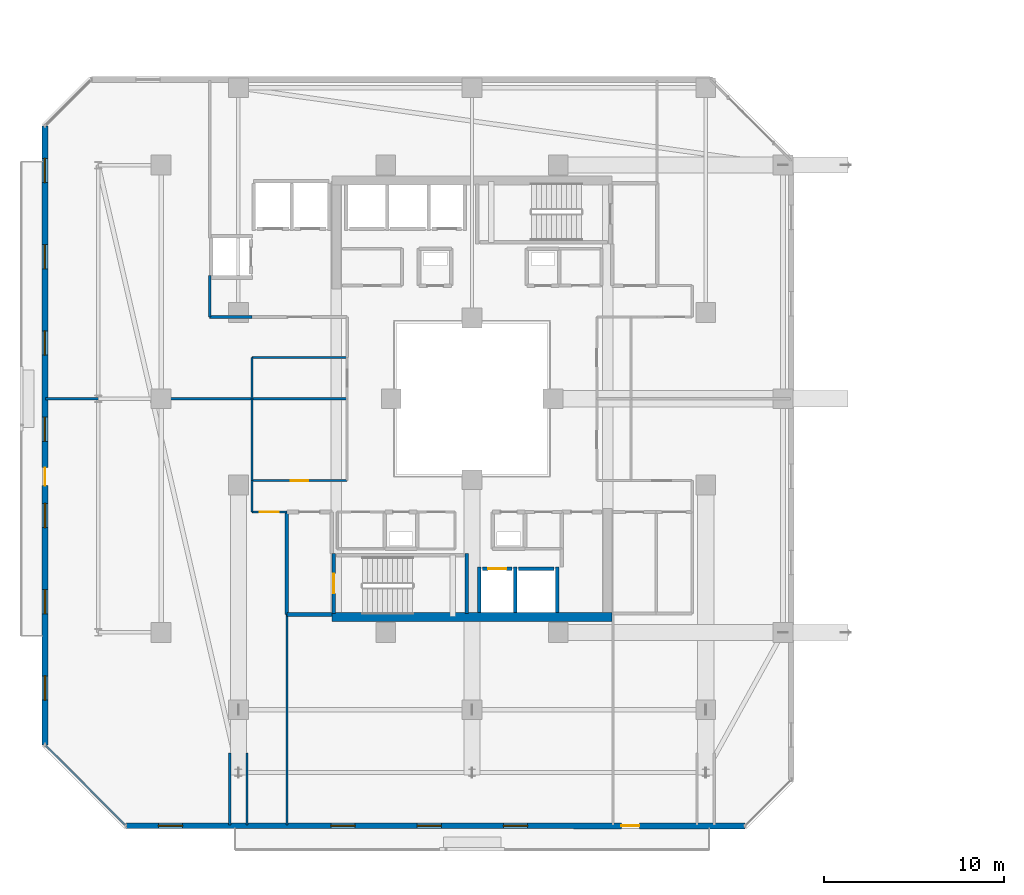
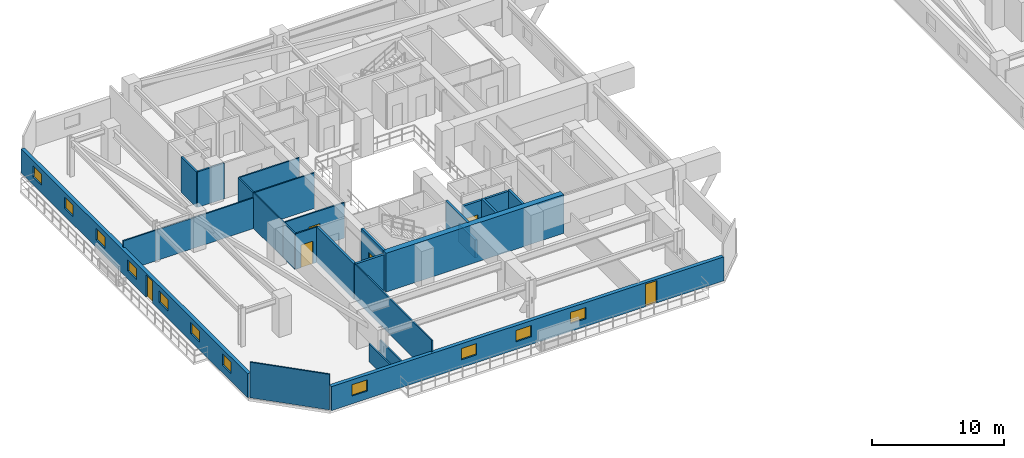
# One storey, part 20 of 35: 26 walls, 11 windows, 6 doors, 17 openings.
"""IFC4 building model written with IfcOpenShell, lengths in metres."""

from ifc_helpers import new_model, si_unit, direction, frame, frame_2d, origin, place, context, subcontext, project, spatial, rectangle, extrude, material, layer, layer_set, type_object, element, fill, save


model = new_model("IFC4")

# Units and contexts
model_context = context("Model", 3, precision=1e-05, world=origin(), true_north=direction((0.0, 1.0)))
body_context = subcontext(model_context, "Body", "Model", "MODEL_VIEW")
ifc_project = project(units=[si_unit("LENGTHUNIT", "METRE"), si_unit("AREAUNIT", "SQUARE_METRE"), si_unit("VOLUMEUNIT", "CUBIC_METRE"), si_unit("PLANEANGLEUNIT", "RADIAN"), si_unit("MASSUNIT", "GRAM", prefix="KILO")], contexts=[model_context])

# Site, building, storey
site_placement = place(None, origin())
site = spatial("IfcSite", under=ifc_project, at=site_placement, CompositionType="ELEMENT")
building_placement = place(site_placement, origin())
building = spatial("IfcBuilding", under=site, at=building_placement, Name="Thornwick Lancets Civic Towers", CompositionType="ELEMENT")
storey_placement = place(building_placement, frame((0.0, 0.0, 145.5)))
storey = spatial("IfcBuildingStorey", under=building, at=storey_placement, Name="L38", CompositionType="ELEMENT", Elevation=145.5)

# Wall, opening, door
ifc_material_1 = material(Name="Concrete blockwork C40/50", Category="masonry")
ifc_layer_1 = layer(ifc_material_1, 0.199951171875, Name="Concrete blockwork C40/50")
ifc_layer_set_1 = layer_set([ifc_layer_1], Name="Concrete blockwork C40/50")
wall_type_1 = type_object("IfcWallType", Name="WALL_COMP_200", PredefinedType="STANDARD", material=ifc_layer_set_1)
wall_1_placement = place(storey_placement, frame((26.080078125, 17.550048828125, 0.0), z_axis=(0.0, 0.0, 1.0), x_axis=(1.0, 0.0, 0.0)))
wall_1 = element("IfcWall", 1, at=wall_1_placement, inside=storey, type_object=wall_type_1, Name="L38 Hoistway Front Wall FL-A1", PredefinedType="STANDARD", context=body_context, shape_type="SweptSolid", body=[
    extrude(rectangle(XDim=1.639892578125, YDim=0.199951171875, at=frame_2d((0.81982421875, 0.0))), origin(), (0.0, 0.0, 1.0), 3.300048828125),
])
opening_1_placement = place(wall_1_placement, frame((0.31005859375, 0.0, 0.0)))
opening_1 = element("IfcOpeningElement", 2, at=opening_1_placement, cuts=wall_1, Name="Opening LD-FL-A1", PredefinedType="OPENING", context=body_context, shape_type="SweptSolid", body=[
    extrude(rectangle(XDim=1.02001953125, YDim=2.06005859375, at=frame_2d((0.510009765625, 1.030029296875))), frame((0.0, 0.10986328125, 0.0), z_axis=(0.0, -1.0, 0.0), x_axis=(1.0, 0.0, 0.0)), (0.0, 0.0, 1.0), 0.219970703125),
])
ifc_material_2 = material(Name="Brushed bronze stainless steel", Category="steel")
door_type_1 = type_object("IfcDoorType", Name="DOOR_LIFT_SLIDE", OperationType="SLIDING_TO_LEFT", PredefinedType="DOOR", material=ifc_material_2)
door_1_placement = place(opening_1_placement, origin())
door_1 = element("IfcDoor", 3, at=door_1_placement, inside=storey, type_object=door_type_1, Name="L38 Sliding Lift Landing Door LD-FL-A1", OperationType="SLIDING_TO_LEFT", OverallHeight=2.06005859375, OverallWidth=1.02001953125, PredefinedType="DOOR", context=body_context, shape_type="SweptSolid", body=[
    extrude(rectangle(XDim=1.02001953125, YDim=2.06005859375, at=frame_2d((0.510009765625, 1.030029296875))), frame((0.0, 0.02490234375, 0.0), z_axis=(0.0, -1.0, 0.0), x_axis=(1.0, 0.0, 0.0)), (0.0, 0.0, 1.0), 0.050048828125),
])
fill(opening_1, door_1)

# Walls
wall_2_placement = place(storey_placement, frame((28.080078125, 17.550048828125, 0.0), z_axis=(0.0, 0.0, 1.0), x_axis=(1.0, 0.0, 0.0)))
element("IfcWall", 4, at=wall_2_placement, inside=storey, type_object=wall_type_1, Name="L38 Hoistway Front Wall PL-AH1", PredefinedType="STANDARD", context=body_context, shape_type="SweptSolid", body=[
    extrude(rectangle(XDim=1.989990234375, YDim=0.199951171875, at=frame_2d((0.9951171875, 0.0))), origin(), (0.0, 0.0, 1.0), 3.300048828125),
])
wall_3_placement = place(storey_placement, frame((27.89990234375, 15.112060546875, 0.0), z_axis=(0.0, 0.0, 1.0), x_axis=(0.0, 1.0, 0.0)))
element("IfcWall", 5, at=wall_3_placement, inside=storey, type_object=wall_type_1, Name="L38 Hoistway Shaft Wall FL-A1 E", PredefinedType="STANDARD", context=body_context, shape_type="SweptSolid", body=[
    extrude(rectangle(XDim=2.535888671875, YDim=0.199951171875, at=frame_2d((1.26806640625, 0.0))), origin(), (0.0, 0.0, 1.0), 3.300048828125),
])
wall_4_placement = place(storey_placement, frame((25.89990234375, 15.112060546875, 0.0), z_axis=(0.0, 0.0, 1.0), x_axis=(0.0, 1.0, 0.0)))
element("IfcWall", 6, at=wall_4_placement, inside=storey, type_object=wall_type_1, Name="L38 Hoistway Shaft Wall FL-A1 W", PredefinedType="STANDARD", context=body_context, shape_type="SweptSolid", body=[
    extrude(rectangle(XDim=2.535888671875, YDim=0.199951171875, at=frame_2d((1.26806640625, 0.0))), origin(), (0.0, 0.0, 1.0), 1.68505859375),
])
wall_5_placement = place(storey_placement, frame((30.25, 15.112060546875, 0.0), z_axis=(0.0, 0.0, 1.0), x_axis=(0.0, 1.0, 0.0)))
element("IfcWall", 7, at=wall_5_placement, inside=storey, type_object=wall_type_1, Name="L38 Hoistway Shaft Wall PL-AH1 E", PredefinedType="STANDARD", context=body_context, shape_type="SweptSolid", body=[
    extrude(rectangle(XDim=2.535888671875, YDim=0.199951171875, at=frame_2d((1.26806640625, 0.0))), origin(), (0.0, 0.0, 1.0), 3.300048828125),
])
wall_6_placement = place(storey_placement, frame((15.199951171875, 15.0, 0.0), z_axis=(0.0, 0.0, 1.0), x_axis=(1.0, 0.0, 0.0)))
element("IfcWall", 8, at=wall_6_placement, inside=storey, type_object=wall_type_1, Name="L38 Partition L38-A-FFLOB1 E1", PredefinedType="STANDARD", context=body_context, shape_type="SweptSolid", body=[
    extrude(rectangle(XDim=2.5, YDim=0.199951171875, at=frame_2d((1.25, 0.0))), origin(), (0.0, 0.0, 1.0), 3.300048828125),
])
wall_7_placement = place(storey_placement, frame((15.199951171875, 20.699951171875, 0.0), z_axis=(0.0, 0.0, 1.0), x_axis=(0.0, -1.0, 0.0)))
element("IfcWall", 9, at=wall_7_placement, inside=storey, type_object=wall_type_1, Name="L38 Partition L38-A-FFLOB1 E4", PredefinedType="STANDARD", context=body_context, shape_type="SweptSolid", body=[
    extrude(rectangle(XDim=5.699951171875, YDim=0.199951171875, at=frame_2d((2.85009765625, 0.0))), origin(), (0.0, 0.0, 1.0), 3.300048828125),
])
ifc_material_3 = material(Name="Concrete C50/60", Category="concrete")
ifc_layer_2 = layer(ifc_material_3, 0.5, Name="Concrete C50/60")
ifc_layer_set_2 = layer_set([ifc_layer_2], Name="Concrete C50/60")
wall_type_2 = type_object("IfcWallType", Name="WALL_CORE_500", PredefinedType="SHEAR", material=ifc_layer_set_2)
wall_8_placement = place(storey_placement, frame((17.699951171875, 14.85009765625, 0.0), z_axis=(0.0, 0.0, 1.0), x_axis=(1.0, 0.0, 0.0)))
element("IfcWall", 10, at=wall_8_placement, inside=storey, type_object=wall_type_2, Name="L38 Split Core A1 Shear Wall S", PredefinedType="SHEAR", context=body_context, shape_type="SweptSolid", body=[
    extrude(rectangle(XDim=15.60009765625, YDim=0.5, at=frame_2d((7.800048828125, 0.0))), origin(), (0.0, 0.0, 1.0), 3.60009765625),
])

# Wall, openings, door, windows
ifc_material_4 = material(Name="Insulated buff terracotta rainscreen on concrete C40/50", Category="masonry")
ifc_layer_3 = layer(ifc_material_4, 0.320068359375, Name="Insulated buff terracotta rainscreen on concrete C40/50")
ifc_layer_set_3 = layer_set([ifc_layer_3], Name="Insulated buff terracotta rainscreen on concrete C40/50")
wall_type_3 = type_object("IfcWallType", Name="WALL_EXT_TERRA_320", PredefinedType="STANDARD", material=ifc_layer_set_3)
wall_9_placement = place(storey_placement, frame((6.2490234375, 3.24169921875, 0.0), z_axis=(0.0, 0.0, 1.0), x_axis=(0.999999983007, -0.000184351399, 0.0)))
wall_9 = element("IfcWall", 11, at=wall_9_placement, inside=storey, type_object=wall_type_3, Name="L38 Tower A Terracotta Facade Wall E0", PredefinedType="STANDARD", context=body_context, shape_type="SweptSolid", body=[
    extrude(rectangle(XDim=34.432373046875, YDim=0.320068359375, at=frame_2d((17.21630859375, 0.0))), origin(), (0.0, 0.0, 1.0), 2.219970703125),
])
opening_2_placement = place(wall_9_placement, frame((27.566162109375, 0.0, 0.0)))
opening_2 = element("IfcOpeningElement", 12, at=opening_2_placement, cuts=wall_9, Name="Opening D-BL-L38-AS", PredefinedType="OPENING", context=body_context, shape_type="SweptSolid", body=[
    extrude(rectangle(XDim=1.0, YDim=2.080078125, at=frame_2d((0.5, 1.0400390625))), frame((0.0, 0.169921875, 0.0), z_axis=(0.0, -1.0, 0.0), x_axis=(1.0, 0.0, 0.0)), (0.0, 0.0, 1.0), 0.340087890625),
])
opening_3_placement = place(wall_9_placement, frame((1.800048828125, 0.0, 0.719970703125)))
opening_3 = element("IfcOpeningElement", 13, at=opening_3_placement, cuts=wall_9, Name="Opening WL-03", PredefinedType="OPENING", context=body_context, shape_type="SweptSolid", body=[
    extrude(rectangle(XDim=1.35009765625, YDim=1.050048828125, at=frame_2d((0.675048828125, 0.52490234375))), frame((0.0, 0.169921875, 0.0), z_axis=(0.0, -1.0, 0.0), x_axis=(1.0, 0.0, 0.0)), (0.0, 0.0, 1.0), 0.340087890625),
])
opening_4_placement = place(wall_9_placement, frame((11.39990234375, 0.0, 0.719970703125)))
opening_4 = element("IfcOpeningElement", 14, at=opening_4_placement, cuts=wall_9, Name="Opening WL-03", PredefinedType="OPENING", context=body_context, shape_type="SweptSolid", body=[
    extrude(rectangle(XDim=1.35009765625, YDim=1.050048828125, at=frame_2d((0.675048828125, 0.52490234375))), frame((0.0, 0.169921875, 0.0), z_axis=(0.0, -1.0, 0.0), x_axis=(1.0, 0.0, 0.0)), (0.0, 0.0, 1.0), 0.340087890625),
])
opening_5_placement = place(wall_9_placement, frame((16.199951171875, 0.0, 0.719970703125)))
opening_5 = element("IfcOpeningElement", 15, at=opening_5_placement, cuts=wall_9, Name="Opening WL-03", PredefinedType="OPENING", context=body_context, shape_type="SweptSolid", body=[
    extrude(rectangle(XDim=1.35009765625, YDim=1.050048828125, at=frame_2d((0.675048828125, 0.52490234375))), frame((0.0, 0.169921875, 0.0), z_axis=(0.0, -1.0, 0.0), x_axis=(1.0, 0.0, 0.0)), (0.0, 0.0, 1.0), 0.340087890625),
])
opening_6_placement = place(wall_9_placement, frame((21.0, 0.0, 0.719970703125)))
opening_6 = element("IfcOpeningElement", 16, at=opening_6_placement, cuts=wall_9, Name="Opening WL-03", PredefinedType="OPENING", context=body_context, shape_type="SweptSolid", body=[
    extrude(rectangle(XDim=1.35009765625, YDim=1.050048828125, at=frame_2d((0.675048828125, 0.52490234375))), frame((0.0, 0.169921875, 0.0), z_axis=(0.0, -1.0, 0.0), x_axis=(1.0, 0.0, 0.0)), (0.0, 0.0, 1.0), 0.340087890625),
])
ifc_material_5 = material(Name="Thermally broken glazed loggia doorset")
door_type_2 = type_object("IfcDoorType", Name="DOOR_BALC_1000", OperationType="NOTDEFINED", PredefinedType="DOOR", material=ifc_material_5)
door_2_placement = place(opening_2_placement, origin())
door_2 = element("IfcDoor", 17, at=door_2_placement, inside=storey, type_object=door_type_2, Name="L38 Tower A Loggia Balcony Door S", OperationType="SINGLE_SWING_LEFT", OverallHeight=2.080078125, OverallWidth=1.0, PredefinedType="DOOR", context=body_context, shape_type="SweptSolid", body=[
    extrude(rectangle(XDim=1.0, YDim=2.080078125, at=frame_2d((0.5, 1.0400390625))), frame((0.0, 0.02490234375, 0.0), z_axis=(0.0, -1.0, 0.0), x_axis=(1.0, 0.0, 0.0)), (0.0, 0.0, 1.0), 0.050048828125),
])
fill(opening_2, door_2)
ifc_material_6 = material(Name="Clear low-e double glazing clerestory lancet", Category="glass")
window_type = type_object("IfcWindowType", Name="WIN_LANCET_1350", PartitioningType="SINGLE_PANEL", PredefinedType="WINDOW", material=ifc_material_6)
window_1_placement = place(opening_3_placement, origin())
window_1 = element("IfcWindow", 18, at=window_1_placement, inside=storey, type_object=window_type, Name="L38 Tower A Staggered Lancet Window E0-1", OverallHeight=1.050048828125, OverallWidth=1.35009765625, PartitioningType="SINGLE_PANEL", PredefinedType="WINDOW", context=body_context, shape_type="SweptSolid", body=[
    extrude(rectangle(XDim=1.35009765625, YDim=1.050048828125, at=frame_2d((0.675048828125, 0.52490234375))), frame((0.0, 0.030029296875, 0.0), z_axis=(0.0, -1.0, 0.0), x_axis=(1.0, 0.0, 0.0)), (0.0, 0.0, 1.0), 0.06005859375),
])
fill(opening_3, window_1)
window_2_placement = place(opening_4_placement, origin())
window_2 = element("IfcWindow", 19, at=window_2_placement, inside=storey, type_object=window_type, Name="L38 Tower A Staggered Lancet Window E0-2", OverallHeight=1.050048828125, OverallWidth=1.35009765625, PartitioningType="SINGLE_PANEL", PredefinedType="WINDOW", context=body_context, shape_type="SweptSolid", body=[
    extrude(rectangle(XDim=1.35009765625, YDim=1.050048828125, at=frame_2d((0.675048828125, 0.52490234375))), frame((0.0, 0.030029296875, 0.0), z_axis=(0.0, -1.0, 0.0), x_axis=(1.0, 0.0, 0.0)), (0.0, 0.0, 1.0), 0.06005859375),
])
fill(opening_4, window_2)
window_3_placement = place(opening_5_placement, origin())
window_3 = element("IfcWindow", 20, at=window_3_placement, inside=storey, type_object=window_type, Name="L38 Tower A Staggered Lancet Window E0-3", OverallHeight=1.050048828125, OverallWidth=1.35009765625, PartitioningType="SINGLE_PANEL", PredefinedType="WINDOW", context=body_context, shape_type="SweptSolid", body=[
    extrude(rectangle(XDim=1.35009765625, YDim=1.050048828125, at=frame_2d((0.675048828125, 0.52490234375))), frame((0.0, 0.030029296875, 0.0), z_axis=(0.0, -1.0, 0.0), x_axis=(1.0, 0.0, 0.0)), (0.0, 0.0, 1.0), 0.06005859375),
])
fill(opening_5, window_3)
window_4_placement = place(opening_6_placement, origin())
window_4 = element("IfcWindow", 21, at=window_4_placement, inside=storey, type_object=window_type, Name="L38 Tower A Staggered Lancet Window E0-4", OverallHeight=1.050048828125, OverallWidth=1.35009765625, PartitioningType="SINGLE_PANEL", PredefinedType="WINDOW", context=body_context, shape_type="SweptSolid", body=[
    extrude(rectangle(XDim=1.35009765625, YDim=1.050048828125, at=frame_2d((0.675048828125, 0.52490234375))), frame((0.0, 0.030029296875, 0.0), z_axis=(0.0, -1.0, 0.0), x_axis=(1.0, 0.0, 0.0)), (0.0, 0.0, 1.0), 0.06005859375),
])
fill(opening_6, window_4)

wall_10_placement = place(storey_placement, frame((1.7353515625, 42.181396484375, 0.0), z_axis=(0.0, 0.0, 1.0), x_axis=(0.000184351399, -0.999999983007, 0.0)))
wall_10 = element("IfcWall", 22, at=wall_10_placement, inside=storey, type_object=wall_type_3, Name="L38 Tower A Terracotta Facade Wall E6", PredefinedType="STANDARD", context=body_context, shape_type="SweptSolid", body=[
    extrude(rectangle(XDim=34.432373046875, YDim=0.320068359375, at=frame_2d((17.21630859375, 0.0))), origin(), (0.0, 0.0, 1.0), 2.219970703125),
])
opening_7_placement = place(wall_10_placement, frame((19.01611328125, 0.0, 0.0)))
opening_7 = element("IfcOpeningElement", 23, at=opening_7_placement, cuts=wall_10, Name="Opening D-BL-L38-AW", PredefinedType="OPENING", context=body_context, shape_type="SweptSolid", body=[
    extrude(rectangle(XDim=1.0, YDim=2.080078125, at=frame_2d((0.5, 1.0400390625))), frame((0.0, 0.169921875, 0.0), z_axis=(0.0, -1.0, 0.0), x_axis=(1.0, 0.0, 0.0)), (0.0, 0.0, 1.0), 0.340087890625),
])
opening_8_placement = place(wall_10_placement, frame((1.800048828125, 0.0, 0.719970703125)))
opening_8 = element("IfcOpeningElement", 24, at=opening_8_placement, cuts=wall_10, Name="Opening WL-03", PredefinedType="OPENING", context=body_context, shape_type="SweptSolid", body=[
    extrude(rectangle(XDim=1.35009765625, YDim=1.050048828125, at=frame_2d((0.675048828125, 0.52490234375))), frame((0.0, 0.169921875, 0.0), z_axis=(0.0, -1.0, 0.0), x_axis=(1.0, 0.0, 0.0)), (0.0, 0.0, 1.0), 0.340087890625),
])
opening_9_placement = place(wall_10_placement, frame((6.60009765625, 0.0, 0.719970703125)))
opening_9 = element("IfcOpeningElement", 25, at=opening_9_placement, cuts=wall_10, Name="Opening WL-03", PredefinedType="OPENING", context=body_context, shape_type="SweptSolid", body=[
    extrude(rectangle(XDim=1.35009765625, YDim=1.050048828125, at=frame_2d((0.675048828125, 0.52490234375))), frame((0.0, 0.169921875, 0.0), z_axis=(0.0, -1.0, 0.0), x_axis=(1.0, 0.0, 0.0)), (0.0, 0.0, 1.0), 0.340087890625),
])
opening_10_placement = place(wall_10_placement, frame((11.39990234375, 0.0, 0.719970703125)))
opening_10 = element("IfcOpeningElement", 26, at=opening_10_placement, cuts=wall_10, Name="Opening WL-03", PredefinedType="OPENING", context=body_context, shape_type="SweptSolid", body=[
    extrude(rectangle(XDim=1.35009765625, YDim=1.050048828125, at=frame_2d((0.675048828125, 0.52490234375))), frame((0.0, 0.169921875, 0.0), z_axis=(0.0, -1.0, 0.0), x_axis=(1.0, 0.0, 0.0)), (0.0, 0.0, 1.0), 0.340087890625),
])
opening_11_placement = place(wall_10_placement, frame((16.199951171875, 0.0, 0.719970703125)))
opening_11 = element("IfcOpeningElement", 27, at=opening_11_placement, cuts=wall_10, Name="Opening WL-03", PredefinedType="OPENING", context=body_context, shape_type="SweptSolid", body=[
    extrude(rectangle(XDim=1.35009765625, YDim=1.050048828125, at=frame_2d((0.675048828125, 0.52490234375))), frame((0.0, 0.169921875, 0.0), z_axis=(0.0, -1.0, 0.0), x_axis=(1.0, 0.0, 0.0)), (0.0, 0.0, 1.0), 0.340087890625),
])
opening_12_placement = place(wall_10_placement, frame((21.0, 0.0, 0.719970703125)))
opening_12 = element("IfcOpeningElement", 28, at=opening_12_placement, cuts=wall_10, Name="Opening WL-03", PredefinedType="OPENING", context=body_context, shape_type="SweptSolid", body=[
    extrude(rectangle(XDim=1.35009765625, YDim=1.050048828125, at=frame_2d((0.675048828125, 0.52490234375))), frame((0.0, 0.169921875, 0.0), z_axis=(0.0, -1.0, 0.0), x_axis=(1.0, 0.0, 0.0)), (0.0, 0.0, 1.0), 0.340087890625),
])
opening_13_placement = place(wall_10_placement, frame((25.800048828125, 0.0, 0.719970703125)))
opening_13 = element("IfcOpeningElement", 29, at=opening_13_placement, cuts=wall_10, Name="Opening WL-03", PredefinedType="OPENING", context=body_context, shape_type="SweptSolid", body=[
    extrude(rectangle(XDim=1.35009765625, YDim=1.050048828125, at=frame_2d((0.675048828125, 0.52490234375))), frame((0.0, 0.169921875, 0.0), z_axis=(0.0, -1.0, 0.0), x_axis=(1.0, 0.0, 0.0)), (0.0, 0.0, 1.0), 0.340087890625),
])
opening_14_placement = place(wall_10_placement, frame((30.60009765625, 0.0, 0.719970703125)))
opening_14 = element("IfcOpeningElement", 30, at=opening_14_placement, cuts=wall_10, Name="Opening WL-03", PredefinedType="OPENING", context=body_context, shape_type="SweptSolid", body=[
    extrude(rectangle(XDim=1.35009765625, YDim=1.050048828125, at=frame_2d((0.675048828125, 0.52490234375))), frame((0.0, 0.169921875, 0.0), z_axis=(0.0, -1.0, 0.0), x_axis=(1.0, 0.0, 0.0)), (0.0, 0.0, 1.0), 0.340087890625),
])
door_3_placement = place(opening_7_placement, origin())
door_3 = element("IfcDoor", 31, at=door_3_placement, inside=storey, type_object=door_type_2, Name="L38 Tower A Loggia Balcony Door W", OperationType="SINGLE_SWING_LEFT", OverallHeight=2.080078125, OverallWidth=1.0, PredefinedType="DOOR", context=body_context, shape_type="SweptSolid", body=[
    extrude(rectangle(XDim=1.0, YDim=2.080078125, at=frame_2d((0.5, 1.0400390625))), frame((0.0, 0.02490234375, 0.0), z_axis=(0.0, -1.0, 0.0), x_axis=(1.0, 0.0, 0.0)), (0.0, 0.0, 1.0), 0.050048828125),
])
fill(opening_7, door_3)
window_5_placement = place(opening_8_placement, origin())
window_5 = element("IfcWindow", 32, at=window_5_placement, inside=storey, type_object=window_type, Name="L38 Tower A Staggered Lancet Window E6-1", OverallHeight=1.050048828125, OverallWidth=1.35009765625, PartitioningType="SINGLE_PANEL", PredefinedType="WINDOW", context=body_context, shape_type="SweptSolid", body=[
    extrude(rectangle(XDim=1.35009765625, YDim=1.050048828125, at=frame_2d((0.675048828125, 0.52490234375))), frame((0.0, 0.030029296875, 0.0), z_axis=(0.0, -1.0, 0.0), x_axis=(1.0, 0.0, 0.0)), (0.0, 0.0, 1.0), 0.06005859375),
])
fill(opening_8, window_5)
window_6_placement = place(opening_9_placement, origin())
window_6 = element("IfcWindow", 33, at=window_6_placement, inside=storey, type_object=window_type, Name="L38 Tower A Staggered Lancet Window E6-2", OverallHeight=1.050048828125, OverallWidth=1.35009765625, PartitioningType="SINGLE_PANEL", PredefinedType="WINDOW", context=body_context, shape_type="SweptSolid", body=[
    extrude(rectangle(XDim=1.35009765625, YDim=1.050048828125, at=frame_2d((0.675048828125, 0.52490234375))), frame((0.0, 0.030029296875, 0.0), z_axis=(0.0, -1.0, 0.0), x_axis=(1.0, 0.0, 0.0)), (0.0, 0.0, 1.0), 0.06005859375),
])
fill(opening_9, window_6)
window_7_placement = place(opening_10_placement, origin())
window_7 = element("IfcWindow", 34, at=window_7_placement, inside=storey, type_object=window_type, Name="L38 Tower A Staggered Lancet Window E6-3", OverallHeight=1.050048828125, OverallWidth=1.35009765625, PartitioningType="SINGLE_PANEL", PredefinedType="WINDOW", context=body_context, shape_type="SweptSolid", body=[
    extrude(rectangle(XDim=1.35009765625, YDim=1.050048828125, at=frame_2d((0.675048828125, 0.52490234375))), frame((0.0, 0.030029296875, 0.0), z_axis=(0.0, -1.0, 0.0), x_axis=(1.0, 0.0, 0.0)), (0.0, 0.0, 1.0), 0.06005859375),
])
fill(opening_10, window_7)
window_8_placement = place(opening_11_placement, origin())
window_8 = element("IfcWindow", 35, at=window_8_placement, inside=storey, type_object=window_type, Name="L38 Tower A Staggered Lancet Window E6-4", OverallHeight=1.050048828125, OverallWidth=1.35009765625, PartitioningType="SINGLE_PANEL", PredefinedType="WINDOW", context=body_context, shape_type="SweptSolid", body=[
    extrude(rectangle(XDim=1.35009765625, YDim=1.050048828125, at=frame_2d((0.675048828125, 0.52490234375))), frame((0.0, 0.030029296875, 0.0), z_axis=(0.0, -1.0, 0.0), x_axis=(1.0, 0.0, 0.0)), (0.0, 0.0, 1.0), 0.06005859375),
])
fill(opening_11, window_8)
window_9_placement = place(opening_12_placement, origin())
window_9 = element("IfcWindow", 36, at=window_9_placement, inside=storey, type_object=window_type, Name="L38 Tower A Staggered Lancet Window E6-5", OverallHeight=1.050048828125, OverallWidth=1.35009765625, PartitioningType="SINGLE_PANEL", PredefinedType="WINDOW", context=body_context, shape_type="SweptSolid", body=[
    extrude(rectangle(XDim=1.35009765625, YDim=1.050048828125, at=frame_2d((0.675048828125, 0.52490234375))), frame((0.0, 0.030029296875, 0.0), z_axis=(0.0, -1.0, 0.0), x_axis=(1.0, 0.0, 0.0)), (0.0, 0.0, 1.0), 0.06005859375),
])
fill(opening_12, window_9)
window_10_placement = place(opening_13_placement, origin())
window_10 = element("IfcWindow", 37, at=window_10_placement, inside=storey, type_object=window_type, Name="L38 Tower A Staggered Lancet Window E6-6", OverallHeight=1.050048828125, OverallWidth=1.35009765625, PartitioningType="SINGLE_PANEL", PredefinedType="WINDOW", context=body_context, shape_type="SweptSolid", body=[
    extrude(rectangle(XDim=1.35009765625, YDim=1.050048828125, at=frame_2d((0.675048828125, 0.52490234375))), frame((0.0, 0.030029296875, 0.0), z_axis=(0.0, -1.0, 0.0), x_axis=(1.0, 0.0, 0.0)), (0.0, 0.0, 1.0), 0.06005859375),
])
fill(opening_13, window_10)
window_11_placement = place(opening_14_placement, origin())
window_11 = element("IfcWindow", 38, at=window_11_placement, inside=storey, type_object=window_type, Name="L38 Tower A Staggered Lancet Window E6-7", OverallHeight=1.050048828125, OverallWidth=1.35009765625, PartitioningType="SINGLE_PANEL", PredefinedType="WINDOW", context=body_context, shape_type="SweptSolid", body=[
    extrude(rectangle(XDim=1.35009765625, YDim=1.050048828125, at=frame_2d((0.675048828125, 0.52490234375))), frame((0.0, 0.030029296875, 0.0), z_axis=(0.0, -1.0, 0.0), x_axis=(1.0, 0.0, 0.0)), (0.0, 0.0, 1.0), 0.06005859375),
])
fill(opening_14, window_11)

# Wall
ifc_material_7 = material(Name="Acoustic gypsum board partition")
ifc_layer_4 = layer(ifc_material_7, 0.1201171875, Name="Acoustic gypsum board partition")
ifc_layer_set_4 = layer_set([ifc_layer_4], Name="Acoustic gypsum board partition")
wall_type_4 = type_object("IfcWallType", Name="WALL_PART_120", PredefinedType="PARTITIONING", material=ifc_layer_set_4)
wall_11_placement = place(storey_placement, frame((13.25, 22.449951171875, 0.0), z_axis=(0.0, 0.0, 1.0), x_axis=(0.0, -1.0, 0.0)))
element("IfcWall", 39, at=wall_11_placement, inside=storey, type_object=wall_type_4, Name="L38 Partition L38-A-W1 E1", PredefinedType="PARTITIONING", context=body_context, shape_type="SweptSolid", body=[
    extrude(rectangle(XDim=1.75, YDim=0.1201171875, at=frame_2d((0.875, 0.0))), origin(), (0.0, 0.0, 1.0), 3.300048828125),
])

# Wall, opening, door
wall_12_placement = place(storey_placement, frame((13.25, 20.699951171875, 0.0), z_axis=(0.0, 0.0, 1.0), x_axis=(1.0, 0.0, 0.0)))
wall_12 = element("IfcWall", 40, at=wall_12_placement, inside=storey, type_object=wall_type_4, Name="L38 Partition L38-A-W1 E2", PredefinedType="PARTITIONING", context=body_context, shape_type="SweptSolid", body=[
    extrude(rectangle(XDim=1.949951171875, YDim=0.1201171875, at=frame_2d((0.97509765625, 0.0))), origin(), (0.0, 0.0, 1.0), 3.300048828125),
])
opening_15_placement = place(wall_12_placement, frame((0.449951171875, 0.0, 0.0)))
opening_15 = element("IfcOpeningElement", 41, at=opening_15_placement, cuts=wall_12, Name="Opening D-L38-1733", PredefinedType="OPENING", context=body_context, shape_type="SweptSolid", body=[
    extrude(rectangle(XDim=1.050048828125, YDim=2.10009765625, at=frame_2d((0.52490234375, 1.050048828125))), frame((0.0, 0.070068359375, 0.0), z_axis=(0.0, -1.0, 0.0), x_axis=(1.0, 0.0, 0.0)), (0.0, 0.0, 1.0), 0.14013671875),
])
ifc_material_8 = material(Name="Glazed European oak executive doorset")
door_type_3 = type_object("IfcDoorType", Name="DOOR_OFFICE_1050", OperationType="NOTDEFINED", PredefinedType="DOOR", material=ifc_material_8)
door_4_placement = place(opening_15_placement, origin())
door_4 = element("IfcDoor", 42, at=door_4_placement, inside=storey, type_object=door_type_3, Name="L38 Tower A Ministry Directorate Office W1 Door", OperationType="SINGLE_SWING_RIGHT", OverallHeight=2.10009765625, OverallWidth=1.050048828125, PredefinedType="DOOR", context=body_context, shape_type="SweptSolid", body=[
    extrude(rectangle(XDim=1.050048828125, YDim=2.10009765625, at=frame_2d((0.52490234375, 1.050048828125))), frame((0.0, 0.02490234375, 0.0), z_axis=(0.0, -1.0, 0.0), x_axis=(1.0, 0.0, 0.0)), (0.0, 0.0, 1.0), 0.050048828125),
])
fill(opening_15, door_4)

# Walls
wall_13_placement = place(storey_placement, frame((15.199951171875, 15.0, 0.0), z_axis=(0.0, 0.0, 1.0), x_axis=(0.0, -1.0, 0.0)))
element("IfcWall", 43, at=wall_13_placement, inside=storey, type_object=wall_type_4, Name="L38 Partition L38-A-W1 E4", PredefinedType="PARTITIONING", context=body_context, shape_type="SweptSolid", body=[
    extrude(rectangle(XDim=11.719970703125, YDim=0.1201171875, at=frame_2d((5.85986328125, 0.0))), origin(), (0.0, 0.0, 1.0), 3.300048828125),
])
for number, where, z_axis, x_axis, name in (
    (44, (12.97998046875, 3.280029296875, 0.0), (0.0, 0.0, 1.0), (0.0, 1.0, 0.0), "L38 Partition L38-A-W1 E6"),
    (45, (12.02001953125, 7.287353515625, 0.0), (0.0, 0.0, 1.0), (0.0, -1.0, 0.0), "L38 Partition L38-A-W1 E8"),
):
    element("IfcWall", number, at=place(storey_placement, frame(where, z_axis=z_axis, x_axis=x_axis)), inside=storey, type_object=wall_type_4, Name=name, PredefinedType="PARTITIONING", context=body_context, shape_type="SweptSolid", body=[
        extrude(rectangle(XDim=4.00732421875, YDim=0.1201171875, at=frame_2d((2.003662109375, 0.0))), origin(), (0.0, 0.0, 1.0), 1.68505859375),
    ])
wall_14_placement = place(storey_placement, frame((6.212646484375, 3.280029296875, 0.0), z_axis=(0.0, 0.0, 1.0), x_axis=(-0.707106781187, 0.707106781187, 0.0)))
element("IfcWall", 46, at=wall_14_placement, inside=storey, type_object=wall_type_4, Name="L38 Partition L38-A-W1 E10", PredefinedType="PARTITIONING", context=body_context, shape_type="SweptSolid", body=[
    extrude(rectangle(XDim=6.2685546875, YDim=0.1201171875, at=frame_2d((3.13427734375, 0.0))), origin(), (0.0, 0.0, 1.0), 3.300048828125),
])
wall_15_placement = place(storey_placement, frame((1.780029296875, 27.0, 0.0), z_axis=(0.0, 0.0, 1.0), x_axis=(1.0, 0.0, 0.0)))
element("IfcWall", 47, at=wall_15_placement, inside=storey, type_object=wall_type_4, Name="L38 Partition L38-A-W1 E12", PredefinedType="PARTITIONING", context=body_context, shape_type="SweptSolid", body=[
    extrude(rectangle(XDim=11.469970703125, YDim=0.1201171875, at=frame_2d((5.73486328125, 0.0))), origin(), (0.0, 0.0, 1.0), 2.841552734375),
])
wall_16_placement = place(storey_placement, frame((13.25, 27.0, 0.0), z_axis=(0.0, 0.0, 1.0), x_axis=(0.0, -1.0, 0.0)))
element("IfcWall", 48, at=wall_16_placement, inside=storey, type_object=wall_type_4, Name="L38 Partition L38-A-W1 E13", PredefinedType="PARTITIONING", context=body_context, shape_type="SweptSolid", body=[
    extrude(rectangle(XDim=4.550048828125, YDim=0.1201171875, at=frame_2d((2.27490234375, 0.0))), origin(), (0.0, 0.0, 1.0), 3.300048828125),
])
wall_17_placement = place(storey_placement, frame((13.25, 27.0, 0.0), z_axis=(0.0, 0.0, 1.0), x_axis=(1.0, 0.0, 0.0)))
element("IfcWall", 49, at=wall_17_placement, inside=storey, type_object=wall_type_4, Name="L38 Partition L38-A-W2 E2", PredefinedType="PARTITIONING", context=body_context, shape_type="SweptSolid", body=[
    extrude(rectangle(XDim=5.300048828125, YDim=0.1201171875, at=frame_2d((2.64990234375, 0.0))), origin(), (0.0, 0.0, 1.0), 3.300048828125),
])

# Wall, opening, door
wall_18_placement = place(storey_placement, frame((18.550048828125, 22.449951171875, 0.0), z_axis=(0.0, 0.0, 1.0), x_axis=(-1.0, 0.0, 0.0)))
wall_18 = element("IfcWall", 50, at=wall_18_placement, inside=storey, type_object=wall_type_4, Name="L38 Partition L38-A-W2 E4", PredefinedType="PARTITIONING", context=body_context, shape_type="SweptSolid", body=[
    extrude(rectangle(XDim=5.300048828125, YDim=0.1201171875, at=frame_2d((2.64990234375, 0.0))), origin(), (0.0, 0.0, 1.0), 3.300048828125),
])
opening_16_placement = place(wall_18_placement, frame((2.175048828125, 0.0, 0.0)))
opening_16 = element("IfcOpeningElement", 51, at=opening_16_placement, cuts=wall_18, Name="Opening D-L38-1734", PredefinedType="OPENING", context=body_context, shape_type="SweptSolid", body=[
    extrude(rectangle(XDim=0.949951171875, YDim=2.10009765625, at=frame_2d((0.47509765625, 1.050048828125))), frame((0.0, 0.070068359375, 0.0), z_axis=(0.0, -1.0, 0.0), x_axis=(1.0, 0.0, 0.0)), (0.0, 0.0, 1.0), 0.14013671875),
])
ifc_material_9 = material(Name="European oak acoustic doorset")
door_type_4 = type_object("IfcDoorType", Name="DOOR_OFFICE_950", OperationType="NOTDEFINED", PredefinedType="DOOR", material=ifc_material_9)
door_5_placement = place(opening_16_placement, origin())
door_5 = element("IfcDoor", 52, at=door_5_placement, inside=storey, type_object=door_type_4, Name="L38 Tower A Statutory Research Suite Door", OperationType="SINGLE_SWING_LEFT", OverallHeight=2.10009765625, OverallWidth=0.949951171875, PredefinedType="DOOR", context=body_context, shape_type="SweptSolid", body=[
    extrude(rectangle(XDim=0.949951171875, YDim=2.10009765625, at=frame_2d((0.47509765625, 1.050048828125))), frame((0.0, 0.02490234375, 0.0), z_axis=(0.0, -1.0, 0.0), x_axis=(1.0, 0.0, 0.0)), (0.0, 0.0, 1.0), 0.050048828125),
])
fill(opening_16, door_5)

# Walls
wall_19_placement = place(storey_placement, frame((13.25, 27.0, 0.0), z_axis=(0.0, 0.0, 1.0), x_axis=(0.0, 1.0, 0.0)))
element("IfcWall", 53, at=wall_19_placement, inside=storey, type_object=wall_type_4, Name="L38 Partition L38-A-W3 E1", PredefinedType="PARTITIONING", context=body_context, shape_type="SweptSolid", body=[
    extrude(rectangle(XDim=2.300048828125, YDim=0.1201171875, at=frame_2d((1.14990234375, 0.0))), origin(), (0.0, 0.0, 1.0), 3.300048828125),
])
wall_20_placement = place(storey_placement, frame((13.25, 29.300048828125, 0.0), z_axis=(0.0, 0.0, 1.0), x_axis=(1.0, 0.0, 0.0)))
element("IfcWall", 54, at=wall_20_placement, inside=storey, type_object=wall_type_4, Name="L38 Partition L38-A-W3 E2", PredefinedType="PARTITIONING", context=body_context, shape_type="SweptSolid", body=[
    extrude(rectangle(XDim=5.300048828125, YDim=0.1201171875, at=frame_2d((2.64990234375, 0.0))), origin(), (0.0, 0.0, 1.0), 3.300048828125),
])
ifc_material_10 = material(Name="Twin-stud acoustic gypsum board")
ifc_layer_5 = layer(ifc_material_10, 0.14990234375, Name="Twin-stud acoustic gypsum board")
ifc_layer_set_5 = layer_set([ifc_layer_5], Name="Twin-stud acoustic gypsum board")
wall_type_5 = type_object("IfcWallType", Name="WALL_PART_150", PredefinedType="PARTITIONING", material=ifc_layer_set_5)
wall_21_placement = place(storey_placement, frame((10.89990234375, 33.862060546875, 0.0), z_axis=(0.0, 0.0, 1.0), x_axis=(0.0, -1.0, 0.0)))
element("IfcWall", 55, at=wall_21_placement, inside=storey, type_object=wall_type_5, Name="L38 Partition L38-A-W4 E9", PredefinedType="PARTITIONING", context=body_context, shape_type="SweptSolid", body=[
    extrude(rectangle(XDim=2.31201171875, YDim=0.14990234375, at=frame_2d((1.156005859375, 0.0))), origin(), (0.0, 0.0, 1.0), 3.300048828125),
])
wall_22_placement = place(storey_placement, frame((10.89990234375, 31.550048828125, 0.0), z_axis=(0.0, 0.0, 1.0), x_axis=(1.0, 0.0, 0.0)))
element("IfcWall", 56, at=wall_22_placement, inside=storey, type_object=wall_type_5, Name="L38 Partition L38-A-W4 E10", PredefinedType="PARTITIONING", context=body_context, shape_type="SweptSolid", body=[
    extrude(rectangle(XDim=2.35009765625, YDim=0.14990234375, at=frame_2d((1.175048828125, 0.0))), origin(), (0.0, 0.0, 1.0), 3.300048828125),
])

# Wall, opening, door
ifc_material_11 = material(Name="Concrete C40/50", Category="concrete")
ifc_layer_6 = layer(ifc_material_11, 0.199951171875, Name="Concrete C40/50")
ifc_layer_set_6 = layer_set([ifc_layer_6], Name="Concrete C40/50")
wall_type_6 = type_object("IfcWallType", Name="WALL_SHAFT_200", PredefinedType="SHEAR", material=ifc_layer_set_6)
wall_23_placement = place(storey_placement, frame((17.800048828125, 15.050048828125, 0.0), z_axis=(0.0, 0.0, 1.0), x_axis=(0.0, 1.0, 0.0)))
wall_23 = element("IfcWall", 57, at=wall_23_placement, inside=storey, type_object=wall_type_6, Name="L38 ST-A1 Fire Stair Core Wall NEAR", PredefinedType="SHEAR", context=body_context, shape_type="SweptSolid", body=[
    extrude(rectangle(XDim=3.349853515625, YDim=0.199951171875, at=frame_2d((1.6748046875, 0.0))), origin(), (0.0, 0.0, 1.0), 3.60009765625),
])
opening_17_placement = place(wall_23_placement, frame((1.125, 0.0, 0.0)))
opening_17 = element("IfcOpeningElement", 58, at=opening_17_placement, cuts=wall_23, Name="Opening D-ST-A1-L38", PredefinedType="OPENING", context=body_context, shape_type="SweptSolid", body=[
    extrude(rectangle(XDim=1.10009765625, YDim=2.10009765625, at=frame_2d((0.550048828125, 1.050048828125))), frame((0.0, 0.10986328125, 0.0), z_axis=(0.0, -1.0, 0.0), x_axis=(1.0, 0.0, 0.0)), (0.0, 0.0, 1.0), 0.219970703125),
])
ifc_material_12 = material(Name="Fire-resisting steel and hardwood", Category="steel")
door_type_5 = type_object("IfcDoorType", Name="DOOR_STAIR_FD60", OperationType="NOTDEFINED", PredefinedType="DOOR", material=ifc_material_12)
door_6_placement = place(opening_17_placement, origin())
door_6 = element("IfcDoor", 59, at=door_6_placement, inside=storey, type_object=door_type_5, Name="L38 ST-A1 Exit Stair Door", OperationType="SINGLE_SWING_RIGHT", OverallHeight=2.10009765625, OverallWidth=1.10009765625, PredefinedType="DOOR", context=body_context, shape_type="SweptSolid", body=[
    extrude(rectangle(XDim=1.10009765625, YDim=2.10009765625, at=frame_2d((0.550048828125, 1.050048828125))), frame((0.0, 0.02490234375, 0.0), z_axis=(0.0, -1.0, 0.0), x_axis=(1.0, 0.0, 0.0)), (0.0, 0.0, 1.0), 0.050048828125),
])
fill(opening_17, door_6)

# Wall
wall_24_placement = place(storey_placement, frame((25.199951171875, 18.39990234375, 0.0), z_axis=(0.0, 0.0, 1.0), x_axis=(0.0, -1.0, 0.0)))
element("IfcWall", 60, at=wall_24_placement, inside=storey, type_object=wall_type_6, Name="L38 ST-A1 Fire Stair Core Wall FAR", PredefinedType="SHEAR", context=body_context, shape_type="SweptSolid", body=[
    extrude(rectangle(XDim=3.349853515625, YDim=0.199951171875, at=frame_2d((1.6748046875, 0.0))), origin(), (0.0, 0.0, 1.0), 3.60009765625),
])

save(model, "model.ifc")
